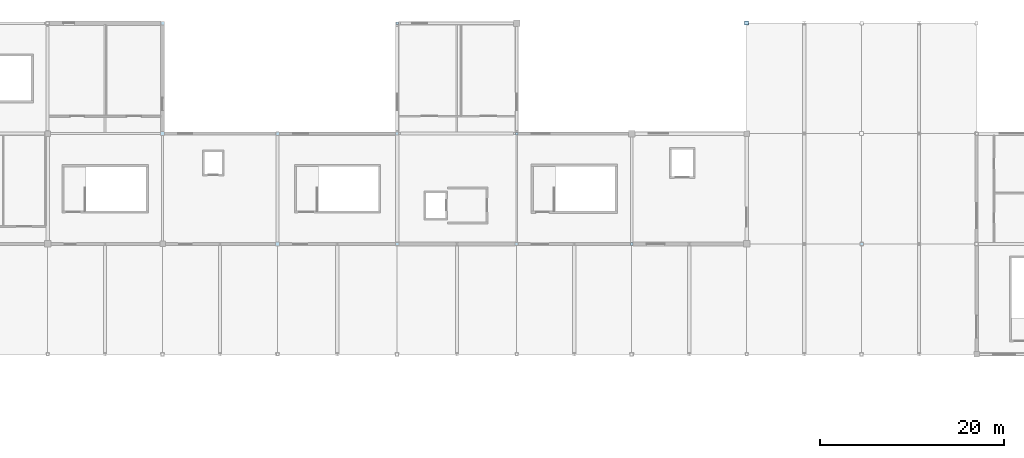
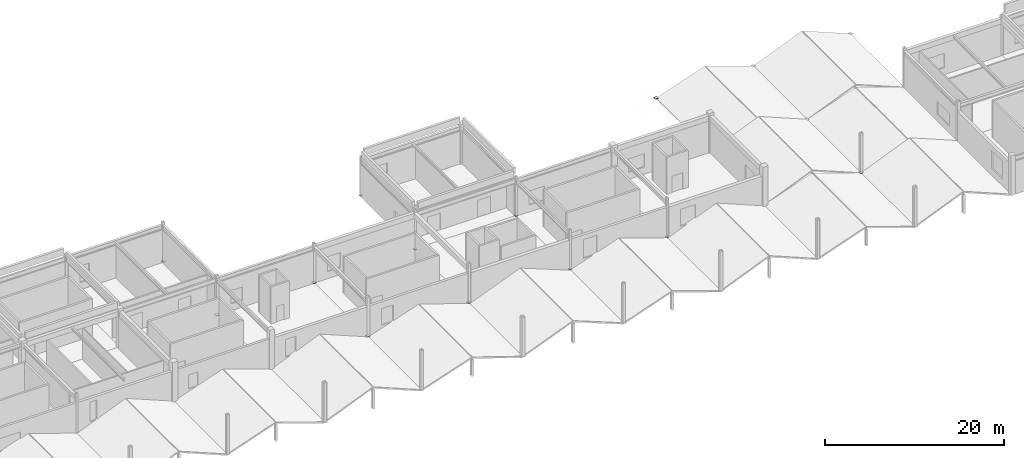
# One storey, part 60 of 76: 12 plates.
"""IFC4 building model written with IfcOpenShell, lengths in metres."""

import ifcopenshell
import ifcopenshell.guid

model = None  # the IFC model being written
_history = None  # IfcOwnerHistory: only IFC2X3 demands one
_inside = {}  # id of a spatial element -> (the spatial element, [elements in it])
_under = {}  # id of a project, library or spatial element -> (it, [spatial elements below it])
_declared = {}  # id of a project -> (the project, [libraries it declares])
_typed = {}  # id of a type object -> (the type object, [elements of that type])
_made_of = {}  # id of a material, layer set ... -> (it, [elements and type objects made of it])


def new_model(schema):
    """Start an empty IFC model of exactly this schema.

    Asked for "IFC4X3", IfcOpenShell would pick the latest addendum, in which some entities
    have other attributes; the version numbers below select the first issue.
    IFC2X3 requires an IfcOwnerHistory on every rooted entity: one is made here for all.
    """
    global model, _history
    if schema == "IFC4X3":
        model = ifcopenshell.file(schema_version=(4, 3, 0, 0))
    else:
        model = ifcopenshell.file(schema=schema)
    _inside.clear()
    _under.clear()
    _declared.clear()
    _typed.clear()
    _made_of.clear()
    _history = None
    if model.schema == "IFC2X3":
        org = make("IfcOrganization", Name="unknown")
        user = make(
            "IfcPersonAndOrganization",
            ThePerson=make("IfcPerson", FamilyName="unknown"),
            TheOrganization=org,
        )
        app = make(
            "IfcApplication",
            ApplicationDeveloper=org,
            Version="unknown",
            ApplicationFullName="unknown",
            ApplicationIdentifier="unknown",
        )
        _history = make(
            "IfcOwnerHistory",
            OwningUser=user,
            OwningApplication=app,
            ChangeAction="ADDED",
            CreationDate=0,
        )
    return model


def make(cls, **values):
    """One entity of the class cls with the attributes given. An attribute that is None is left unset."""
    return model.create_entity(
        cls, **{name: value for name, value in values.items() if value is not None}
    )


def rooted(cls, **values):
    """An entity with a GlobalId (a new one), such as an element, a storey or a relation."""
    return make(cls, GlobalId=ifcopenshell.guid.new(), OwnerHistory=_history, **values)


def si_unit(unit_type, name, prefix=None):
    """IfcSIUnit, for example si_unit("LENGTHUNIT", "METRE", prefix="MILLI")."""
    return make("IfcSIUnit", UnitType=unit_type, Prefix=prefix, Name=name)


def assignment(units):
    """IfcUnitAssignment: the units of a project."""
    return None if units is None else make("IfcUnitAssignment", Units=units)


def point(xyz):
    """IfcCartesianPoint."""
    return None if xyz is None else make("IfcCartesianPoint", Coordinates=xyz)


def direction(xyz):
    """IfcDirection."""
    return None if xyz is None else make("IfcDirection", DirectionRatios=xyz)


def frame(location, z_axis=None, x_axis=None):
    """IfcAxis2Placement3D, a coordinate frame: its origin and axes. An axis left out is left unset."""
    return make(
        "IfcAxis2Placement3D",
        Location=point(location),
        Axis=direction(z_axis),
        RefDirection=direction(x_axis),
    )


def frame_2d(location, x_axis=None):
    """IfcAxis2Placement2D, a coordinate frame in the plane: its origin and x axis."""
    return make(
        "IfcAxis2Placement2D", Location=point(location), RefDirection=direction(x_axis)
    )


def origin():
    """The frame at (0, 0, 0) with its axes left unset."""
    return frame((0.0, 0.0, 0.0))


def origin_2d():
    """The frame at (0, 0) in the plane with its x axis left unset."""
    return frame_2d((0.0, 0.0))


def place(relative_to, where):
    """IfcLocalPlacement: puts the frame where relative to a parent placement (None: the world)."""
    return make(
        "IfcLocalPlacement", PlacementRelTo=relative_to, RelativePlacement=where
    )


def context(
    kind, dimensions, precision=None, world=None, true_north=None, identifier=None
):
    """IfcGeometricRepresentationContext, for example the 3D "Model" context."""
    return make(
        "IfcGeometricRepresentationContext",
        ContextIdentifier=identifier,
        ContextType=kind,
        CoordinateSpaceDimension=dimensions,
        Precision=precision,
        WorldCoordinateSystem=world,
        TrueNorth=true_north,
    )


def subcontext(parent, identifier, kind, view, scale=None):
    """IfcGeometricRepresentationSubContext, for example "Body" below "Model"."""
    return make(
        "IfcGeometricRepresentationSubContext",
        ContextIdentifier=identifier,
        ContextType=kind,
        ParentContext=parent,
        TargetScale=scale,
        TargetView=view,
    )


def project(units=None, contexts=None):
    """IfcProject with its units and contexts."""
    return rooted(
        "IfcProject",
        Name="project",
        RepresentationContexts=contexts,
        UnitsInContext=assignment(units),
    )


def spatial(cls, under=None, at=None, **own):
    """A site, building, storey or space (cls), placed at a placement, below another one or the project."""
    s = rooted(cls, ObjectPlacement=at, **own)
    if under is not None:
        _under.setdefault(under.id(), (under, []))[1].append(s)
    return s


def profile(cls, at=None, kind="AREA", **sizes):
    """A parametric profile (cls). Its sizes go by their IFC names, for example OverallWidth=200.0."""
    return make(cls, ProfileType=kind, Position=at, **sizes)


def rectangle(**sizes):
    """IfcRectangleProfileDef."""
    return profile("IfcRectangleProfileDef", **sizes)


def extrude(swept, where, along, depth):
    """IfcExtrudedAreaSolid: the profile swept, set in the frame where, extruded along a direction by depth."""
    return make(
        "IfcExtrudedAreaSolid",
        SweptArea=swept,
        Position=where,
        ExtrudedDirection=direction(along),
        Depth=depth,
    )


def shape(context_of_items, identifier, shape_type, items):
    """IfcShapeRepresentation: the items that make up one representation, for example the "Body"."""
    return make(
        "IfcShapeRepresentation",
        ContextOfItems=context_of_items,
        RepresentationIdentifier=identifier,
        RepresentationType=shape_type,
        Items=items,
    )


def material(Name=None, Category=None):
    """IfcMaterial."""
    return make("IfcMaterial", Name=Name, Category=Category)


def layer(
    of_material, thickness, ventilated=None, Name=None, Category=None, Priority=None
):
    """IfcMaterialLayer: one layer of a wall or slab, of a material (None: an air gap)."""
    return make(
        "IfcMaterialLayer",
        Material=of_material,
        LayerThickness=thickness,
        IsVentilated=ventilated,
        Name=Name,
        Category=Category,
        Priority=Priority,
    )


def layer_set(layers, Name=None):
    """IfcMaterialLayerSet."""
    return make("IfcMaterialLayerSet", MaterialLayers=layers, LayerSetName=Name)


def made_of(thing, what):
    """Note that an element or type object is made of a material, layer set ...; save() writes the relation."""
    if what is not None:
        _made_of.setdefault(what.id(), (what, []))[1].append(thing)
    return thing


def type_object(cls, material=None, **own):
    """A type object (cls), such as IfcWallType, which elements share."""
    return made_of(rooted(cls, **own), material)


def element(
    cls,
    number,
    at=None,
    inside=None,
    cuts=None,
    type_object=None,
    material=None,
    context=None,
    identifier="Body",
    shape_type=None,
    held_by="IfcProductDefinitionShape",
    body=None,
    shapes=None,
    **own,
):
    """One element of the class cls, such as IfcWall. Its Tag is "e" and its number.

    at: its placement. inside: the storey or other place that contains it. cuts: it is an
    opening in that element (IfcRelVoidsElement). A single representation is given by context,
    identifier, shape_type and body (its items); several are given by shapes. held_by: the class
    of the entity that holds the representations. save() writes the other relations.
    """
    e = rooted(cls, Tag="e%d" % number, ObjectPlacement=at, **own)
    if body is not None:
        shapes = [shape(context, identifier, shape_type, body)]
    if shapes is not None:
        e.Representation = make(held_by, Representations=shapes)
    if inside is not None:
        _inside.setdefault(inside.id(), (inside, []))[1].append(e)
    if cuts is not None:
        rooted(
            "IfcRelVoidsElement", RelatingBuildingElement=cuts, RelatedOpeningElement=e
        )
    if type_object is not None:
        _typed.setdefault(type_object.id(), (type_object, []))[1].append(e)
    return made_of(e, material)


def aggregate(whole, parts):
    """IfcRelAggregates: a whole, such as a stair, and the parts it consists of."""
    return rooted("IfcRelAggregates", RelatingObject=whole, RelatedObjects=parts)


def save(model, path):
    """Write the relations noted so far, then the file.

    IfcRelAggregates (storeys below a building ...), IfcRelContainedInSpatialStructure (elements
    in a storey), IfcRelDefinesByType, IfcRelAssociatesMaterial and IfcRelDeclares: one each for
    every whole, place, type object, material and project.
    """
    for whole, parts in _under.values():
        aggregate(whole, parts)
    for where, things in _inside.values():
        rooted(
            "IfcRelContainedInSpatialStructure",
            RelatedElements=things,
            RelatingStructure=where,
        )
    for kind, things in _typed.values():
        rooted("IfcRelDefinesByType", RelatedObjects=things, RelatingType=kind)
    for what, things in _made_of.values():
        rooted("IfcRelAssociatesMaterial", RelatedObjects=things, RelatingMaterial=what)
    for by, libraries in _declared.values():
        rooted("IfcRelDeclares", RelatingContext=by, RelatedDefinitions=libraries)
    model.write(path)


model = new_model("IFC4")

# Units and contexts
model_context = context("Model", 3, precision=1e-05, world=origin(), true_north=direction((0.0, 1.0)))
body_context = subcontext(model_context, "Body", "Model", "MODEL_VIEW")
ifc_project = project(units=[si_unit("LENGTHUNIT", "METRE"), si_unit("AREAUNIT", "SQUARE_METRE"), si_unit("VOLUMEUNIT", "CUBIC_METRE"), si_unit("PLANEANGLEUNIT", "RADIAN"), si_unit("MASSUNIT", "GRAM", prefix="KILO")], contexts=[model_context])

# Site, building, storey
site_placement = place(None, origin())
site = spatial("IfcSite", under=ifc_project, at=site_placement, CompositionType="ELEMENT")
building_placement = place(site_placement, origin())
building = spatial("IfcBuilding", under=site, at=building_placement, Name="Kazenohara Klinker Stadium", CompositionType="ELEMENT")
storey_placement = place(building_placement, frame((0.0, 0.0, 25.800048828125)))
storey = spatial("IfcBuildingStorey", under=building, at=storey_placement, Name="L05", CompositionType="ELEMENT", Elevation=25.800048828125)

# Plates
ifc_material = material(Name="Steel S355", Category="steel")
ifc_layer_1 = layer(ifc_material, 0.02001953125)
ifc_layer_set_1 = layer_set([ifc_layer_1], Name="Steel S355")
plate_type_1 = type_object("IfcPlateType", Name="PLT-GP01", PredefinedType="USERDEFINED", material=ifc_layer_set_1)
plate_1_placement = place(storey_placement, frame((99.0, 144.0, -0.010009765625), z_axis=(0.0, 0.0, 1.0), x_axis=(1.0, 0.0, 0.0)))
element("IfcPlate", 1, at=plate_1_placement, inside=storey, type_object=plate_type_1, Name="Hollow column end-cap plate GP01 L05 9/N", ObjectType="GUSSET PLATE", PredefinedType="USERDEFINED", context=body_context, shape_type="SweptSolid", body=[
    extrude(rectangle(XDim=0.43994140625, YDim=0.43994140625, at=origin_2d()), origin(), (0.0, 0.0, 1.0), 0.02001953125),
])
plate_2_placement = place(storey_placement, frame((137.5, 144.0, -0.010009765625), z_axis=(0.0, 0.0, 1.0), x_axis=(1.0, 0.0, 0.0)))
element("IfcPlate", 2, at=plate_2_placement, inside=storey, type_object=plate_type_1, Name="Hollow column end-cap plate GP01 L05 12/N", ObjectType="GUSSET PLATE", PredefinedType="USERDEFINED", context=body_context, shape_type="SweptSolid", body=[
    extrude(rectangle(XDim=0.2900390625, YDim=0.2900390625, at=origin_2d()), origin(), (0.0, 0.0, 1.0), 0.02001953125),
])
plate_3_placement = place(storey_placement, frame((150.0, 168.0, -0.010009765625), z_axis=(0.0, 0.0, 1.0), x_axis=(1.0, 0.0, 0.0)))
element("IfcPlate", 3, at=plate_3_placement, inside=storey, type_object=plate_type_1, Name="Hollow column end-cap plate GP01 L05 13/Q", ObjectType="GUSSET PLATE", PredefinedType="USERDEFINED", context=body_context, shape_type="SweptSolid", body=[
    extrude(rectangle(XDim=0.43994140625, YDim=0.43994140625, at=origin_2d()), origin(), (0.0, 0.0, 1.0), 0.02001953125),
])
ifc_layer_2 = layer(ifc_material, 0.02197265625)
ifc_layer_set_2 = layer_set([ifc_layer_2], Name="Steel S355")
plate_type_2 = type_object("IfcPlateType", Name="PLT-GP02", PredefinedType="USERDEFINED", material=ifc_layer_set_2)
plate_4_placement = place(storey_placement, frame((86.5, 168.0, -0.010986328125), z_axis=(0.0, 0.0, 1.0), x_axis=(1.0, 0.0, 0.0)))
element("IfcPlate", 4, at=plate_4_placement, inside=storey, type_object=plate_type_2, Name="Hollow column end-cap plate GP02 L05 8/Q", ObjectType="GUSSET PLATE", PredefinedType="USERDEFINED", context=body_context, shape_type="SweptSolid", body=[
    extrude(rectangle(XDim=0.389892578125, YDim=0.389892578125, at=origin_2d()), origin(), (0.0, 0.0, 1.0), 0.02197265625),
])
plate_5_placement = place(storey_placement, frame((125.0, 144.0, -0.010986328125), z_axis=(0.0, 0.0, 1.0), x_axis=(1.0, 0.0, 0.0)))
element("IfcPlate", 5, at=plate_5_placement, inside=storey, type_object=plate_type_2, Name="Hollow column end-cap plate GP02 L05 11/N", ObjectType="GUSSET PLATE", PredefinedType="USERDEFINED", context=body_context, shape_type="SweptSolid", body=[
    extrude(rectangle(XDim=0.340087890625, YDim=0.340087890625, at=origin_2d()), origin(), (0.0, 0.0, 1.0), 0.02197265625),
])
plate_6_placement = place(storey_placement, frame((125.0, 156.0, -0.010986328125), z_axis=(0.0, 0.0, 1.0), x_axis=(1.0, 0.0, 0.0)))
element("IfcPlate", 6, at=plate_6_placement, inside=storey, type_object=plate_type_2, Name="Hollow column end-cap plate GP02 L05 11/P", ObjectType="GUSSET PLATE", PredefinedType="USERDEFINED", context=body_context, shape_type="SweptSolid", body=[
    extrude(rectangle(XDim=0.2900390625, YDim=0.2900390625, at=origin_2d()), origin(), (0.0, 0.0, 1.0), 0.02197265625),
])
ifc_layer_3 = layer(ifc_material, 0.02392578125)
ifc_layer_set_3 = layer_set([ifc_layer_3], Name="Steel S355")
plate_type_3 = type_object("IfcPlateType", Name="PLT-GP03", PredefinedType="USERDEFINED", material=ifc_layer_set_3)
plate_7_placement = place(storey_placement, frame((86.5, 156.0, -0.011962890625), z_axis=(0.0, 0.0, 1.0), x_axis=(1.0, 0.0, 0.0)))
element("IfcPlate", 7, at=plate_7_placement, inside=storey, type_object=plate_type_3, Name="Hollow column end-cap plate GP03 L05 8/P", ObjectType="GUSSET PLATE", PredefinedType="USERDEFINED", context=body_context, shape_type="SweptSolid", body=[
    extrude(rectangle(XDim=0.43994140625, YDim=0.43994140625, at=origin_2d()), origin(), (0.0, 0.0, 1.0), 0.02392578125),
])
plate_8_placement = place(storey_placement, frame((112.0, 144.0, -0.011962890625), z_axis=(0.0, 0.0, 1.0), x_axis=(1.0, 0.0, 0.0)))
element("IfcPlate", 8, at=plate_8_placement, inside=storey, type_object=plate_type_3, Name="Hollow column end-cap plate GP03 L05 10/N", ObjectType="GUSSET PLATE", PredefinedType="USERDEFINED", context=body_context, shape_type="SweptSolid", body=[
    extrude(rectangle(XDim=0.389892578125, YDim=0.389892578125, at=origin_2d()), origin(), (0.0, 0.0, 1.0), 0.02392578125),
])
plate_9_placement = place(storey_placement, frame((112.0, 156.0, -0.011962890625), z_axis=(0.0, 0.0, 1.0), x_axis=(1.0, 0.0, 0.0)))
element("IfcPlate", 9, at=plate_9_placement, inside=storey, type_object=plate_type_3, Name="Hollow column end-cap plate GP03 L05 10/P", ObjectType="GUSSET PLATE", PredefinedType="USERDEFINED", context=body_context, shape_type="SweptSolid", body=[
    extrude(rectangle(XDim=0.340087890625, YDim=0.340087890625, at=origin_2d()), origin(), (0.0, 0.0, 1.0), 0.02392578125),
])
plate_10_placement = place(storey_placement, frame((112.0, 168.0, -0.011962890625), z_axis=(0.0, 0.0, 1.0), x_axis=(1.0, 0.0, 0.0)))
element("IfcPlate", 10, at=plate_10_placement, inside=storey, type_object=plate_type_3, Name="Hollow column end-cap plate GP03 L05 10/Q", ObjectType="GUSSET PLATE", PredefinedType="USERDEFINED", context=body_context, shape_type="SweptSolid", body=[
    extrude(rectangle(XDim=0.2900390625, YDim=0.2900390625, at=origin_2d()), origin(), (0.0, 0.0, 1.0), 0.02392578125),
])
plate_11_placement = place(storey_placement, frame((162.5, 144.0, -0.011962890625), z_axis=(0.0, 0.0, 1.0), x_axis=(1.0, 0.0, 0.0)))
element("IfcPlate", 11, at=plate_11_placement, inside=storey, type_object=plate_type_3, Name="Hollow column end-cap plate GP03 L05 14/N", ObjectType="GUSSET PLATE", PredefinedType="USERDEFINED", context=body_context, shape_type="SweptSolid", body=[
    extrude(rectangle(XDim=0.389892578125, YDim=0.389892578125, at=origin_2d()), origin(), (0.0, 0.0, 1.0), 0.02392578125),
])
ifc_layer_4 = layer(ifc_material, 0.02490234375)
ifc_layer_set_4 = layer_set([ifc_layer_4], Name="Steel S355")
plate_type_4 = type_object("IfcPlateType", Name="PLT-GP04", PredefinedType="USERDEFINED", material=ifc_layer_set_4)
plate_12_placement = place(storey_placement, frame((99.0, 156.0, -0.012451171875), z_axis=(0.0, 0.0, 1.0), x_axis=(1.0, 0.0, 0.0)))
element("IfcPlate", 12, at=plate_12_placement, inside=storey, type_object=plate_type_4, Name="Hollow column end-cap plate GP04 L05 9/P", ObjectType="GUSSET PLATE", PredefinedType="USERDEFINED", context=body_context, shape_type="SweptSolid", body=[
    extrude(rectangle(XDim=0.389892578125, YDim=0.389892578125, at=origin_2d()), origin(), (0.0, 0.0, 1.0), 0.02490234375),
])

save(model, "model.ifc")
